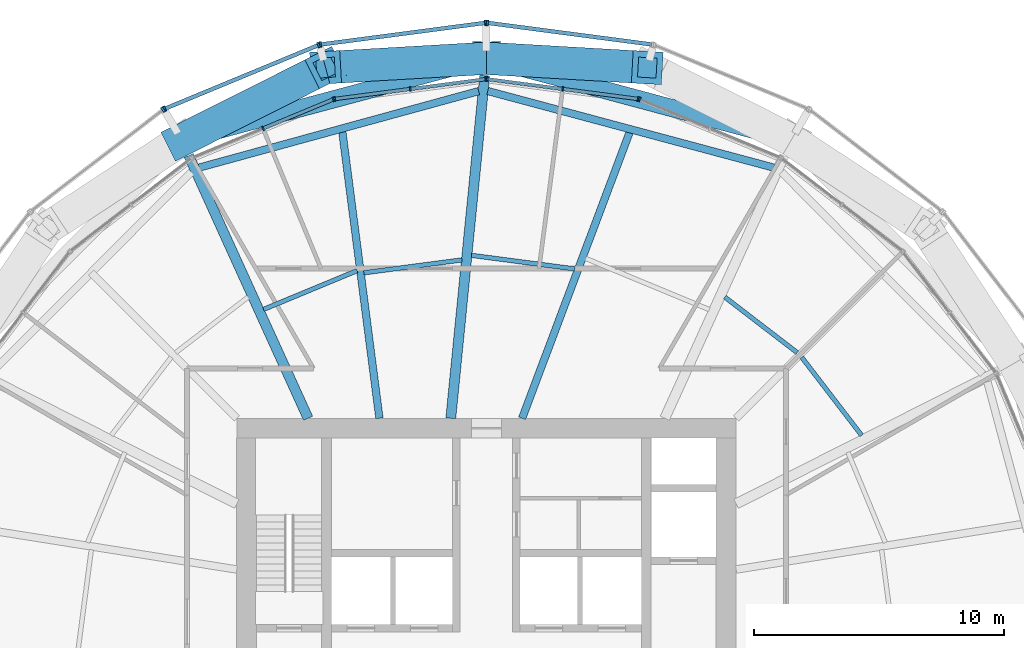
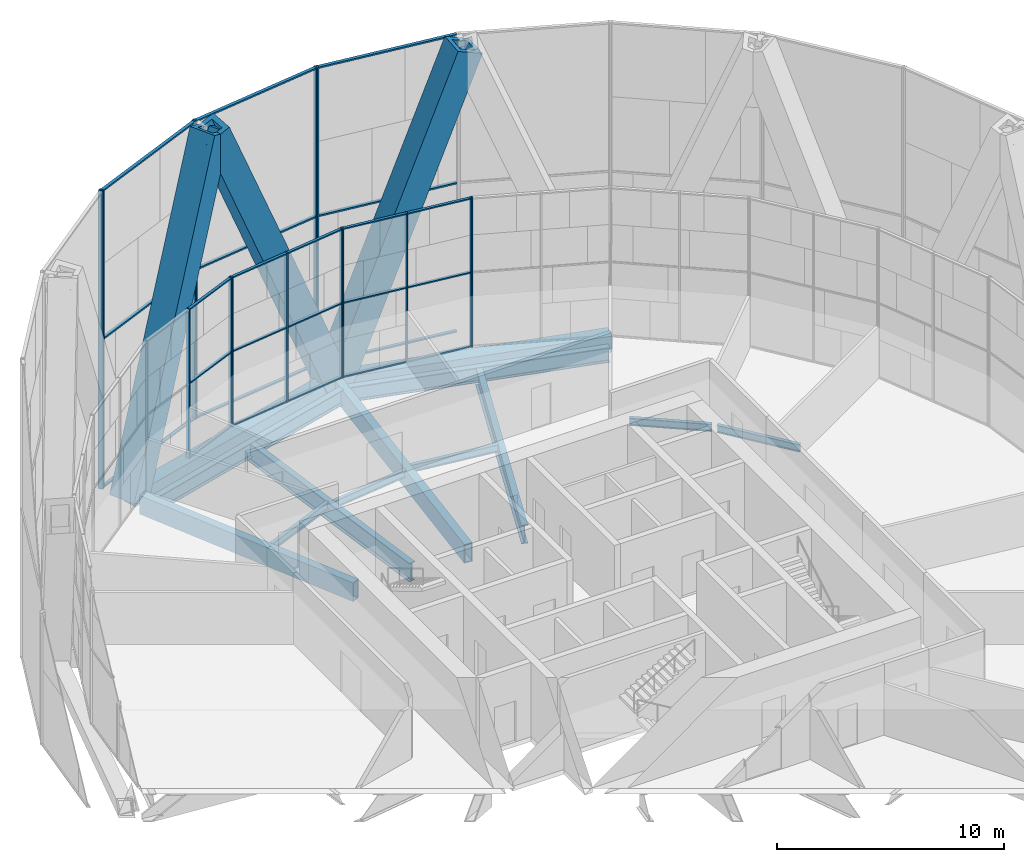
# One storey, part 7 of 22: 42 members, 13 beams, 8 elements without a shape of their own.
"""IFC4 building model written with IfcOpenShell, lengths in metres."""

from ifc_helpers import new_model, si_unit, direction, frame, origin, origin_2d, place, context, subcontext, project, spatial, rectangle, hollow_rectangle, i_section, extrude, material, material_profile, profile_set, type_object, element, aggregate, save


model = new_model("IFC4")

# Units and contexts
model_context = context("Model", 3, precision=1e-05, world=origin(), true_north=direction((0.0, 1.0)))
body_context = subcontext(model_context, "Body", "Model", "MODEL_VIEW")
ifc_project = project(units=[si_unit("LENGTHUNIT", "METRE"), si_unit("AREAUNIT", "SQUARE_METRE"), si_unit("VOLUMEUNIT", "CUBIC_METRE"), si_unit("PLANEANGLEUNIT", "RADIAN"), si_unit("MASSUNIT", "GRAM", prefix="KILO")], contexts=[model_context])

# Site, building, storey
site_placement = place(None, origin())
site = spatial("IfcSite", under=ifc_project, at=site_placement, CompositionType="ELEMENT")
building_placement = place(site_placement, origin())
building = spatial("IfcBuilding", under=site, at=building_placement, Name="Golbaran Civic Tower", CompositionType="ELEMENT")
storey_placement = place(building_placement, frame((0.0, 0.0, 53.0)))
storey = spatial("IfcBuildingStorey", under=building, at=storey_placement, Name="L12", CompositionType="ELEMENT", Elevation=53.0)

# Members
ifc_material_1 = material(Name="Steel S355", Category="steel")
ifc_material_profile_1 = material_profile(ifc_material_1, hollow_rectangle(XDim=1.300048828125, YDim=1.300048828125, WallThickness=0.25, at=origin_2d()), Name="BOX 1300x1300x250")
ifc_profile_set_1 = profile_set([ifc_material_profile_1], Name="Steel S355")
member_type_1 = type_object("IfcMemberType", Name="DIAGRID DIAGONAL BOX 1300x1300x250", PredefinedType="BRACE", material=ifc_profile_set_1)
for number, where, z_axis, x_axis, name in (
    (1, (0.0, 24.416015625, -0.7099609375), (-0.373420671031, -0.021622964428, 0.927410076426), (0.05780827387, -0.998327703448, 0.0), "Diagonal D02-03R L12-L16"),
    (2, (0.0, 24.416015625, -0.7099609375), (0.373420671031, -0.021622964428, 0.927410076426), (0.05780827387, 0.998327703448, 0.0), "Diagonal D02-03L L12-L16"),
):
    element("IfcMember", number, at=place(storey_placement, frame(where, z_axis=z_axis, x_axis=x_axis)), inside=storey, type_object=member_type_1, Name=name, PredefinedType="BRACE", context=body_context, shape_type="SweptSolid", body=[
        extrude(hollow_rectangle(XDim=1.300048828125, YDim=1.300048828125, WallThickness=0.25, at=origin_2d()), origin(), (0.0, 0.0, 1.0), 17.25244140625),
    ])
member_1_placement = place(storey_placement, frame((-12.2080078125, 21.144775390625, -0.7099609375), z_axis=(0.334194514401, 0.167988782201, 0.927412419368), x_axis=(-0.449119378723, 0.893471758734, 0.0)))
element("IfcMember", 3, at=member_1_placement, inside=storey, type_object=member_type_1, Name="Diagonal D02-04L L12-L16", PredefinedType="BRACE", context=body_context, shape_type="SweptSolid", body=[
    extrude(hollow_rectangle(XDim=1.300048828125, YDim=1.300048828125, WallThickness=0.25, at=origin_2d()), origin(), (0.0, 0.0, 1.0), 17.252197265625),
])

# Beams
ifc_material_profile_2 = material_profile(ifc_material_1, hollow_rectangle(XDim=0.699951171875, YDim=0.699951171875, WallThickness=0.080078125, at=origin_2d()), Name="BOX 700x700x80")
ifc_profile_set_2 = profile_set([ifc_material_profile_2], Name="Steel S355")
beam_type_1 = type_object("IfcBeamType", Name="DIAGRID RING TIE BOX 700x700x80", PredefinedType="BEAM", material=ifc_profile_set_2)
for number, where, z_axis, x_axis, name in (
    (4, (12.2080078125, 21.144775390625, -0.7099609375), (-0.965923563363, 0.258827490311, 0.0), (-0.258827490311, -0.965923563363, 0.0), "Ring tie 60.00 L12"),
    (5, (0.0, 24.416015625, -0.7099609375), (-0.965923563363, -0.258827490311, 0.0), (0.258827490311, -0.965923563363, 0.0), "Ring tie 90.00 L12"),
):
    element("IfcBeam", number, at=place(storey_placement, frame(where, z_axis=z_axis, x_axis=x_axis)), inside=storey, type_object=beam_type_1, Name=name, PredefinedType="BEAM", context=body_context, shape_type="SweptSolid", body=[
        extrude(hollow_rectangle(XDim=0.699951171875, YDim=0.699951171875, WallThickness=0.080078125, at=origin_2d()), origin(), (0.0, 0.0, 1.0), 12.638671875),
    ])
ifc_material_profile_3 = material_profile(ifc_material_1, i_section(OverallWidth=0.300048828125, OverallDepth=0.800048828125, WebThickness=0.017578125, FlangeThickness=0.032958984375, FilletRadius=0.030029296875, at=origin_2d()), Name="HEB 800")
ifc_profile_set_3 = profile_set([ifc_material_profile_3], Name="Steel S355")
beam_type_2 = type_object("IfcBeamType", Name="EDGE BEAM HEB 800", PredefinedType="BEAM", material=ifc_profile_set_3)
beam_1_placement = place(storey_placement, frame((11.506591796875, 20.036865234375, -0.60009765625), z_axis=(-0.96593978228, 0.258766955016, 0.0), x_axis=(-0.258766955016, -0.96593978228, 0.0)))
element("IfcBeam", 6, at=beam_1_placement, inside=storey, type_object=beam_type_2, Name="Edge beam 60.00 L12", PredefinedType="BEAM", context=body_context, shape_type="SweptSolid", body=[
    extrude(i_section(OverallWidth=0.300048828125, OverallDepth=0.800048828125, WebThickness=0.017578125, FlangeThickness=0.032958984375, FilletRadius=0.030029296875, at=origin_2d()), origin(), (0.0, 0.0, 1.0), 11.859619140625),
])
beam_2_placement = place(storey_placement, frame((-0.31103515625, 23.10205078125, -0.60009765625), z_axis=(-0.964523164737, -0.263998228565, 0.0), x_axis=(0.263998228565, -0.964523164737, 0.0)))
element("IfcBeam", 7, at=beam_2_placement, inside=storey, type_object=beam_type_2, Name="Edge beam 90.00 L12", PredefinedType="BEAM", context=body_context, shape_type="SweptSolid", body=[
    extrude(i_section(OverallWidth=0.300048828125, OverallDepth=0.800048828125, WebThickness=0.017578125, FlangeThickness=0.032958984375, FilletRadius=0.030029296875, at=origin_2d()), origin(), (0.0, 0.0, 1.0), 11.60791015625),
])
ifc_material_profile_4 = material_profile(ifc_material_1, i_section(OverallWidth=0.179931640625, OverallDepth=0.39990234375, WebThickness=0.008544921875, FlangeThickness=0.013427734375, FilletRadius=0.02099609375, at=origin_2d()), Name="IPE 400")
ifc_profile_set_4 = profile_set([ifc_material_profile_4], Name="Steel S355")
beam_type_3 = type_object("IfcBeamType", Name="FLOOR INFILL BEAM IPE 400", PredefinedType="BEAM", material=ifc_profile_set_4)
beam_3_placement = place(storey_placement, frame((15.026123046875, 9.315185546875, -0.39990234375), z_axis=(-0.608743547424, 0.793367060993, 0.0), x_axis=(-0.793367060993, -0.608743547424, 0.0)))
element("IfcBeam", 8, at=beam_3_placement, inside=storey, type_object=beam_type_3, Name="Infill beam 37.50 L12", PredefinedType="BEAM", context=body_context, shape_type="SweptSolid", body=[
    extrude(i_section(OverallWidth=0.179931640625, OverallDepth=0.39990234375, WebThickness=0.008544921875, FlangeThickness=0.013427734375, FilletRadius=0.02099609375, at=origin_2d()), origin(), (0.0, 0.0, 1.0), 3.94189453125),
])
beam_4_placement = place(storey_placement, frame((12.445068359375, 12.62890625, -0.39990234375), z_axis=(-0.79336110597, 0.608751308446, 0.0), x_axis=(-0.608751308446, -0.79336110597, 0.0)))
element("IfcBeam", 9, at=beam_4_placement, inside=storey, type_object=beam_type_3, Name="Infill beam 52.50 L12", PredefinedType="BEAM", context=body_context, shape_type="SweptSolid", body=[
    extrude(i_section(OverallWidth=0.179931640625, OverallDepth=0.39990234375, WebThickness=0.008544921875, FlangeThickness=0.013427734375, FilletRadius=0.02099609375, at=origin_2d()), origin(), (0.0, 0.0, 1.0), 3.654052734375),
])
beam_5_placement = place(storey_placement, frame((3.53857421875, 15.980224609375, -0.39990234375), z_axis=(-0.991447129366, 0.130508963951, 0.0), x_axis=(-0.130508963951, -0.991447129366, 0.0)))
element("IfcBeam", 10, at=beam_5_placement, inside=storey, type_object=beam_type_3, Name="Infill beam 82.50 L12", PredefinedType="BEAM", context=body_context, shape_type="SweptSolid", body=[
    extrude(i_section(OverallWidth=0.179931640625, OverallDepth=0.39990234375, WebThickness=0.008544921875, FlangeThickness=0.013427734375, FilletRadius=0.02099609375, at=origin_2d()), origin(), (0.0, 0.0, 1.0), 4.17529296875),
])
beam_6_placement = place(storey_placement, frame((-0.98095703125, 16.341796875, -0.39990234375), z_axis=(-0.991446113601, -0.130516680254, 0.0), x_axis=(0.130516680254, -0.991446113601, 0.0)))
element("IfcBeam", 11, at=beam_6_placement, inside=storey, type_object=beam_type_3, Name="Infill beam 97.50 L12", PredefinedType="BEAM", context=body_context, shape_type="SweptSolid", body=[
    extrude(i_section(OverallWidth=0.179931640625, OverallDepth=0.39990234375, WebThickness=0.008544921875, FlangeThickness=0.013427734375, FilletRadius=0.02099609375, at=origin_2d()), origin(), (0.0, 0.0, 1.0), 3.9619140625),
])
beam_7_placement = place(storey_placement, frame((-5.182373046875, 15.910888671875, -0.39990234375), z_axis=(-0.923875132525, -0.3826940547, 0.0), x_axis=(0.3826940547, -0.923875132525, 0.0)))
element("IfcBeam", 12, at=beam_7_placement, inside=storey, type_object=beam_type_3, Name="Infill beam 112.50 L12", PredefinedType="BEAM", context=body_context, shape_type="SweptSolid", body=[
    extrude(i_section(OverallWidth=0.179931640625, OverallDepth=0.39990234375, WebThickness=0.008544921875, FlangeThickness=0.013427734375, FilletRadius=0.02099609375, at=origin_2d()), origin(), (0.0, 0.0, 1.0), 4.052978515625),
])

# Curtain wall, member
ifc_material_2 = material(Name="Aluminium and glass", Category="aluminium")
curtain_wall_type_1 = type_object("IfcCurtainWallType", Name="INNER SKIN CURTAIN WALL", PredefinedType="NOTDEFINED", material=ifc_material_2)
curtain_wall_1_placement = place(storey_placement, origin())
curtain_wall_1 = element("IfcCurtainWall", 13, at=curtain_wall_1_placement, inside=storey, type_object=curtain_wall_type_1, Name="Inner skin L12 facet 5 CW1", ObjectType="INNER SKIN", PredefinedType="USERDEFINED")
ifc_material_3 = material(Name="Aluminium", Category="aluminium")
ifc_material_profile_5 = material_profile(ifc_material_3, rectangle(XDim=0.179931640625, YDim=0.06494140625, at=origin_2d()), Name="INNER SKIN CURTAIN WALL MULLION")
ifc_profile_set_5 = profile_set([ifc_material_profile_5], Name="Aluminium")
member_type_2 = type_object("IfcMemberType", Name="INNER SKIN CURTAIN WALL MULLION", PredefinedType="MULLION", material=ifc_profile_set_5)
member_2_placement = place(storey_placement, frame((6.13427734375, 22.76904296875, 0.0), z_axis=(0.0, 0.0, 1.0), x_axis=(-0.382683432413, -0.923879532491, 0.0)))
member_2 = element("IfcMember", 14, at=member_2_placement, type_object=member_type_2, Name="CW1 mullion 3", PredefinedType="MULLION", context=body_context, shape_type="SweptSolid", body=[
    extrude(rectangle(XDim=0.179931640625, YDim=0.06494140625, at=origin_2d()), origin(), (0.0, 0.0, 1.0), 8.0),
])
aggregate(curtain_wall_1, [member_2])

# Curtain wall, members
curtain_wall_2_placement = place(storey_placement, origin())
curtain_wall_2 = element("IfcCurtainWall", 15, at=curtain_wall_2_placement, inside=storey, type_object=curtain_wall_type_1, Name="Inner skin L12 facet 6 CW1", ObjectType="INNER SKIN", PredefinedType="USERDEFINED")
member_3_placement = place(storey_placement, frame((6.072021484375, 22.78564453125, 0.0), z_axis=(0.0, 0.0, 1.0), x_axis=(-0.13052619222, -0.991444861374, 0.0)))
member_3 = element("IfcMember", 16, at=member_3_placement, type_object=member_type_2, Name="CW1 mullion 1", PredefinedType="MULLION", context=body_context, shape_type="SweptSolid", body=[
    extrude(rectangle(XDim=0.179931640625, YDim=0.06494140625, at=origin_2d()), origin(), (0.0, 0.0, 1.0), 8.0),
])
member_4_placement = place(storey_placement, frame((3.052001953125, 23.18310546875, 0.0), z_axis=(0.0, 0.0, 1.0), x_axis=(-0.13052619222, -0.991444861374, 0.0)))
member_4 = element("IfcMember", 17, at=member_4_placement, type_object=member_type_2, Name="CW1 mullion 2", PredefinedType="MULLION", context=body_context, shape_type="SweptSolid", body=[
    extrude(rectangle(XDim=0.179931640625, YDim=0.06494140625, at=origin_2d()), origin(), (0.0, 0.0, 1.0), 8.0),
])
member_5_placement = place(storey_placement, frame((0.0322265625, 23.580810546875, 0.0), z_axis=(0.0, 0.0, 1.0), x_axis=(-0.13052619222, -0.991444861374, 0.0)))
member_5 = element("IfcMember", 18, at=member_5_placement, type_object=member_type_2, Name="CW1 mullion 3", PredefinedType="MULLION", context=body_context, shape_type="SweptSolid", body=[
    extrude(rectangle(XDim=0.179931640625, YDim=0.06494140625, at=origin_2d()), origin(), (0.0, 0.0, 1.0), 8.0),
])

curtain_wall_3_placement = place(storey_placement, origin())
curtain_wall_3 = element("IfcCurtainWall", 19, at=curtain_wall_3_placement, inside=storey, type_object=curtain_wall_type_1, Name="Inner skin L12 facet 7 CW1", ObjectType="INNER SKIN", PredefinedType="USERDEFINED")
member_6_placement = place(storey_placement, frame((-0.0322265625, 23.580810546875, 0.0), z_axis=(0.0, 0.0, 1.0), x_axis=(0.13052619222, -0.991444861374, 0.0)))
member_6 = element("IfcMember", 20, at=member_6_placement, type_object=member_type_2, Name="CW1 mullion 1", PredefinedType="MULLION", context=body_context, shape_type="SweptSolid", body=[
    extrude(rectangle(XDim=0.179931640625, YDim=0.06494140625, at=origin_2d()), origin(), (0.0, 0.0, 1.0), 8.0),
])
member_7_placement = place(storey_placement, frame((-3.052001953125, 23.18310546875, 0.0), z_axis=(0.0, 0.0, 1.0), x_axis=(0.13052619222, -0.991444861374, 0.0)))
member_7 = element("IfcMember", 21, at=member_7_placement, type_object=member_type_2, Name="CW1 mullion 2", PredefinedType="MULLION", context=body_context, shape_type="SweptSolid", body=[
    extrude(rectangle(XDim=0.179931640625, YDim=0.06494140625, at=origin_2d()), origin(), (0.0, 0.0, 1.0), 8.0),
])
member_8_placement = place(storey_placement, frame((-6.072021484375, 22.78564453125, 0.0), z_axis=(0.0, 0.0, 1.0), x_axis=(0.13052619222, -0.991444861374, 0.0)))
member_8 = element("IfcMember", 22, at=member_8_placement, type_object=member_type_2, Name="CW1 mullion 3", PredefinedType="MULLION", context=body_context, shape_type="SweptSolid", body=[
    extrude(rectangle(XDim=0.179931640625, YDim=0.06494140625, at=origin_2d()), origin(), (0.0, 0.0, 1.0), 8.0),
])

curtain_wall_4_placement = place(storey_placement, origin())
curtain_wall_4 = element("IfcCurtainWall", 23, at=curtain_wall_4_placement, inside=storey, type_object=curtain_wall_type_1, Name="Inner skin L12 facet 8 CW1", ObjectType="INNER SKIN", PredefinedType="USERDEFINED")
member_9_placement = place(storey_placement, frame((-6.13427734375, 22.76904296875, 0.0), z_axis=(0.0, 0.0, 1.0), x_axis=(0.382683432413, -0.923879532491, 0.0)))
member_9 = element("IfcMember", 24, at=member_9_placement, type_object=member_type_2, Name="CW1 mullion 1", PredefinedType="MULLION", context=body_context, shape_type="SweptSolid", body=[
    extrude(rectangle(XDim=0.179931640625, YDim=0.06494140625, at=origin_2d()), origin(), (0.0, 0.0, 1.0), 8.0),
])
member_10_placement = place(storey_placement, frame((-8.948486328125, 21.603271484375, 0.0), z_axis=(0.0, 0.0, 1.0), x_axis=(0.382683432413, -0.923879532491, 0.0)))
member_10 = element("IfcMember", 25, at=member_10_placement, type_object=member_type_2, Name="CW1 mullion 2", PredefinedType="MULLION", context=body_context, shape_type="SweptSolid", body=[
    extrude(rectangle(XDim=0.179931640625, YDim=0.06494140625, at=origin_2d()), origin(), (0.0, 0.0, 1.0), 8.0),
])

# Member
ifc_material_profile_6 = material_profile(ifc_material_3, rectangle(XDim=0.139892578125, YDim=0.06494140625, at=origin_2d()), Name="INNER SKIN CURTAIN WALL TRANSOM")
ifc_profile_set_6 = profile_set([ifc_material_profile_6], Name="Aluminium")
member_type_3 = type_object("IfcMemberType", Name="INNER SKIN CURTAIN WALL TRANSOM", PredefinedType="USERDEFINED", material=ifc_profile_set_6)
member_11_placement = place(storey_placement, frame((6.039794921875, 22.789794921875, 0.032470703125), z_axis=(-0.991442584044, 0.130543489093, 0.0), x_axis=(-0.130543489093, -0.991442584044, 0.0)))
member_11 = element("IfcMember", 26, at=member_11_placement, type_object=member_type_3, Name="CW1 transom 1.1", ObjectType="TRANSOM", PredefinedType="USERDEFINED", context=body_context, shape_type="SweptSolid", body=[
    extrude(rectangle(XDim=0.139892578125, YDim=0.06494140625, at=origin_2d()), origin(), (0.0, 0.0, 1.0), 2.98095703125),
])

member_12_placement = place(storey_placement, frame((6.039794921875, 22.789794921875, 4.0), z_axis=(-0.991442584044, 0.130543489093, 0.0), x_axis=(-0.130543489093, -0.991442584044, 0.0)))
member_12 = element("IfcMember", 27, at=member_12_placement, type_object=member_type_3, Name="CW1 transom 1.2", ObjectType="TRANSOM", PredefinedType="USERDEFINED", context=body_context, shape_type="SweptSolid", body=[
    extrude(rectangle(XDim=0.139892578125, YDim=0.06494140625, at=origin_2d()), origin(), (0.0, 0.0, 1.0), 2.98095703125),
])

member_13_placement = place(storey_placement, frame((6.039794921875, 22.789794921875, 7.967529296875), z_axis=(-0.991442584044, 0.130543489093, 0.0), x_axis=(-0.130543489093, -0.991442584044, 0.0)))
member_13 = element("IfcMember", 28, at=member_13_placement, type_object=member_type_3, Name="CW1 transom 1.3", ObjectType="TRANSOM", PredefinedType="USERDEFINED", context=body_context, shape_type="SweptSolid", body=[
    extrude(rectangle(XDim=0.139892578125, YDim=0.06494140625, at=origin_2d()), origin(), (0.0, 0.0, 1.0), 2.98095703125),
])

member_14_placement = place(storey_placement, frame((3.02001953125, 23.1875, 0.032470703125), z_axis=(-0.991453180494, 0.130462986662, 0.0), x_axis=(-0.130462986662, -0.991453180494, 0.0)))
member_14 = element("IfcMember", 29, at=member_14_placement, type_object=member_type_3, Name="CW1 transom 2.1", ObjectType="TRANSOM", PredefinedType="USERDEFINED", context=body_context, shape_type="SweptSolid", body=[
    extrude(rectangle(XDim=0.139892578125, YDim=0.06494140625, at=origin_2d()), origin(), (0.0, 0.0, 1.0), 2.98095703125),
])

member_15_placement = place(storey_placement, frame((3.02001953125, 23.1875, 4.0), z_axis=(-0.991453180494, 0.130462986662, 0.0), x_axis=(-0.130462986662, -0.991453180494, 0.0)))
member_15 = element("IfcMember", 30, at=member_15_placement, type_object=member_type_3, Name="CW1 transom 2.2", ObjectType="TRANSOM", PredefinedType="USERDEFINED", context=body_context, shape_type="SweptSolid", body=[
    extrude(rectangle(XDim=0.139892578125, YDim=0.06494140625, at=origin_2d()), origin(), (0.0, 0.0, 1.0), 2.98095703125),
])

member_16_placement = place(storey_placement, frame((3.02001953125, 23.1875, 7.967529296875), z_axis=(-0.991453180494, 0.130462986662, 0.0), x_axis=(-0.130462986662, -0.991453180494, 0.0)))
member_16 = element("IfcMember", 31, at=member_16_placement, type_object=member_type_3, Name="CW1 transom 2.3", ObjectType="TRANSOM", PredefinedType="USERDEFINED", context=body_context, shape_type="SweptSolid", body=[
    extrude(rectangle(XDim=0.139892578125, YDim=0.06494140625, at=origin_2d()), origin(), (0.0, 0.0, 1.0), 2.98095703125),
])

aggregate(curtain_wall_2, [member_3, member_4, member_5, member_11, member_12, member_13, member_14, member_15, member_16])

member_17_placement = place(storey_placement, frame((-0.064453125, 23.576416015625, 0.032470703125), z_axis=(-0.991453180494, -0.130462986662, 0.0), x_axis=(0.130462986662, -0.991453180494, 0.0)))
member_17 = element("IfcMember", 32, at=member_17_placement, type_object=member_type_3, Name="CW1 transom 1.1", ObjectType="TRANSOM", PredefinedType="USERDEFINED", context=body_context, shape_type="SweptSolid", body=[
    extrude(rectangle(XDim=0.139892578125, YDim=0.06494140625, at=origin_2d()), origin(), (0.0, 0.0, 1.0), 2.98095703125),
])

member_18_placement = place(storey_placement, frame((-0.064453125, 23.576416015625, 4.0), z_axis=(-0.991453180494, -0.130462986662, 0.0), x_axis=(0.130462986662, -0.991453180494, 0.0)))
member_18 = element("IfcMember", 33, at=member_18_placement, type_object=member_type_3, Name="CW1 transom 1.2", ObjectType="TRANSOM", PredefinedType="USERDEFINED", context=body_context, shape_type="SweptSolid", body=[
    extrude(rectangle(XDim=0.139892578125, YDim=0.06494140625, at=origin_2d()), origin(), (0.0, 0.0, 1.0), 2.98095703125),
])

member_19_placement = place(storey_placement, frame((-0.064453125, 23.576416015625, 7.967529296875), z_axis=(-0.991453180494, -0.130462986662, 0.0), x_axis=(0.130462986662, -0.991453180494, 0.0)))
member_19 = element("IfcMember", 34, at=member_19_placement, type_object=member_type_3, Name="CW1 transom 1.3", ObjectType="TRANSOM", PredefinedType="USERDEFINED", context=body_context, shape_type="SweptSolid", body=[
    extrude(rectangle(XDim=0.139892578125, YDim=0.06494140625, at=origin_2d()), origin(), (0.0, 0.0, 1.0), 2.98095703125),
])

member_20_placement = place(storey_placement, frame((-3.084228515625, 23.178955078125, 0.032470703125), z_axis=(-0.991442584044, -0.130543489093, 0.0), x_axis=(0.130543489093, -0.991442584044, 0.0)))
member_20 = element("IfcMember", 35, at=member_20_placement, type_object=member_type_3, Name="CW1 transom 2.1", ObjectType="TRANSOM", PredefinedType="USERDEFINED", context=body_context, shape_type="SweptSolid", body=[
    extrude(rectangle(XDim=0.139892578125, YDim=0.06494140625, at=origin_2d()), origin(), (0.0, 0.0, 1.0), 2.98095703125),
])

member_21_placement = place(storey_placement, frame((-3.084228515625, 23.178955078125, 4.0), z_axis=(-0.991442584044, -0.130543489093, 0.0), x_axis=(0.130543489093, -0.991442584044, 0.0)))
member_21 = element("IfcMember", 36, at=member_21_placement, type_object=member_type_3, Name="CW1 transom 2.2", ObjectType="TRANSOM", PredefinedType="USERDEFINED", context=body_context, shape_type="SweptSolid", body=[
    extrude(rectangle(XDim=0.139892578125, YDim=0.06494140625, at=origin_2d()), origin(), (0.0, 0.0, 1.0), 2.98095703125),
])

member_22_placement = place(storey_placement, frame((-3.084228515625, 23.178955078125, 7.967529296875), z_axis=(-0.991442584044, -0.130543489093, 0.0), x_axis=(0.130543489093, -0.991442584044, 0.0)))
member_22 = element("IfcMember", 37, at=member_22_placement, type_object=member_type_3, Name="CW1 transom 2.3", ObjectType="TRANSOM", PredefinedType="USERDEFINED", context=body_context, shape_type="SweptSolid", body=[
    extrude(rectangle(XDim=0.139892578125, YDim=0.06494140625, at=origin_2d()), origin(), (0.0, 0.0, 1.0), 2.98095703125),
])

aggregate(curtain_wall_3, [member_6, member_7, member_8, member_17, member_18, member_19, member_20, member_21, member_22])

member_23_placement = place(storey_placement, frame((-6.164306640625, 22.756591796875, 0.032470703125), z_axis=(-0.923872096684, -0.382701383548, 0.0), x_axis=(0.382701383548, -0.923872096684, 0.0)))
member_23 = element("IfcMember", 38, at=member_23_placement, type_object=member_type_3, Name="CW1 transom 1.1", ObjectType="TRANSOM", PredefinedType="USERDEFINED", context=body_context, shape_type="SweptSolid", body=[
    extrude(rectangle(XDim=0.139892578125, YDim=0.06494140625, at=origin_2d()), origin(), (0.0, 0.0, 1.0), 2.981201171875),
])

member_24_placement = place(storey_placement, frame((-6.164306640625, 22.756591796875, 4.0), z_axis=(-0.923872096684, -0.382701383548, 0.0), x_axis=(0.382701383548, -0.923872096684, 0.0)))
member_24 = element("IfcMember", 39, at=member_24_placement, type_object=member_type_3, Name="CW1 transom 1.2", ObjectType="TRANSOM", PredefinedType="USERDEFINED", context=body_context, shape_type="SweptSolid", body=[
    extrude(rectangle(XDim=0.139892578125, YDim=0.06494140625, at=origin_2d()), origin(), (0.0, 0.0, 1.0), 2.981201171875),
])

member_25_placement = place(storey_placement, frame((-6.164306640625, 22.756591796875, 7.967529296875), z_axis=(-0.923872096684, -0.382701383548, 0.0), x_axis=(0.382701383548, -0.923872096684, 0.0)))
member_25 = element("IfcMember", 40, at=member_25_placement, type_object=member_type_3, Name="CW1 transom 1.3", ObjectType="TRANSOM", PredefinedType="USERDEFINED", context=body_context, shape_type="SweptSolid", body=[
    extrude(rectangle(XDim=0.139892578125, YDim=0.06494140625, at=origin_2d()), origin(), (0.0, 0.0, 1.0), 2.981201171875),
])

aggregate(curtain_wall_4, [member_9, member_10, member_23, member_24, member_25])

# Curtain wall, member
curtain_wall_type_2 = type_object("IfcCurtainWallType", Name="OUTER SKIN TERRACOTTA SCREEN", PredefinedType="NOTDEFINED", material=ifc_material_2)
curtain_wall_5_placement = place(storey_placement, origin())
curtain_wall_5 = element("IfcCurtainWall", 41, at=curtain_wall_5_placement, inside=storey, type_object=curtain_wall_type_2, Name="Outer skin L12 facet 6 CW3", ObjectType="OUTER SKIN", PredefinedType="USERDEFINED")
ifc_material_profile_7 = material_profile(ifc_material_3, rectangle(XDim=0.219970703125, YDim=0.080078125, at=origin_2d()), Name="OUTER SKIN TERRACOTTA SCREEN MULLION")
ifc_profile_set_7 = profile_set([ifc_material_profile_7], Name="Aluminium")
member_type_4 = type_object("IfcMemberType", Name="OUTER SKIN TERRACOTTA SCREEN MULLION", PredefinedType="MULLION", material=ifc_profile_set_7)
member_26_placement = place(storey_placement, frame((0.03955078125, 25.835693359375, -0.7099609375), z_axis=(0.0, 0.0, 1.0), x_axis=(-0.130526192255, -0.991444861369, 0.0)))
member_26 = element("IfcMember", 42, at=member_26_placement, type_object=member_type_4, Name="CW3 mullion 2", PredefinedType="MULLION", context=body_context, shape_type="SweptSolid", body=[
    extrude(rectangle(XDim=0.219970703125, YDim=0.080078125, at=origin_2d()), origin(), (0.0, 0.0, 1.0), 16.0),
])

# Curtain wall, members
curtain_wall_6_placement = place(storey_placement, origin())
curtain_wall_6 = element("IfcCurtainWall", 43, at=curtain_wall_6_placement, inside=storey, type_object=curtain_wall_type_2, Name="Outer skin L12 facet 7 CW3", ObjectType="OUTER SKIN", PredefinedType="USERDEFINED")
member_27_placement = place(storey_placement, frame((-0.03955078125, 25.835693359375, -0.7099609375), z_axis=(0.0, 0.0, 1.0), x_axis=(0.130526192255, -0.991444861369, 0.0)))
member_27 = element("IfcMember", 44, at=member_27_placement, type_object=member_type_4, Name="CW3 mullion 1", PredefinedType="MULLION", context=body_context, shape_type="SweptSolid", body=[
    extrude(rectangle(XDim=0.219970703125, YDim=0.080078125, at=origin_2d()), origin(), (0.0, 0.0, 1.0), 16.0),
])
member_28_placement = place(storey_placement, frame((-6.6484375, 24.9658203125, -0.7099609375), z_axis=(0.0, 0.0, 1.0), x_axis=(0.130526192255, -0.991444861369, 0.0)))
member_28 = element("IfcMember", 45, at=member_28_placement, type_object=member_type_4, Name="CW3 mullion 2", PredefinedType="MULLION", context=body_context, shape_type="SweptSolid", body=[
    extrude(rectangle(XDim=0.219970703125, YDim=0.080078125, at=origin_2d()), origin(), (0.0, 0.0, 1.0), 16.0),
])

curtain_wall_7_placement = place(storey_placement, origin())
curtain_wall_7 = element("IfcCurtainWall", 46, at=curtain_wall_7_placement, inside=storey, type_object=curtain_wall_type_2, Name="Outer skin L12 facet 8 CW3", ObjectType="OUTER SKIN", PredefinedType="USERDEFINED")
member_29_placement = place(storey_placement, frame((-6.72509765625, 24.945068359375, -0.7099609375), z_axis=(0.0, 0.0, 1.0), x_axis=(0.382683432349, -0.923879532518, 0.0)))
member_29 = element("IfcMember", 47, at=member_29_placement, type_object=member_type_4, Name="CW3 mullion 1", PredefinedType="MULLION", context=body_context, shape_type="SweptSolid", body=[
    extrude(rectangle(XDim=0.219970703125, YDim=0.080078125, at=origin_2d()), origin(), (0.0, 0.0, 1.0), 16.0),
])
member_30_placement = place(storey_placement, frame((-12.883544921875, 22.394287109375, -0.7099609375), z_axis=(0.0, 0.0, 1.0), x_axis=(0.382683432349, -0.923879532518, 0.0)))
member_30 = element("IfcMember", 48, at=member_30_placement, type_object=member_type_4, Name="CW3 mullion 2", PredefinedType="MULLION", context=body_context, shape_type="SweptSolid", body=[
    extrude(rectangle(XDim=0.219970703125, YDim=0.080078125, at=origin_2d()), origin(), (0.0, 0.0, 1.0), 16.0),
])

# Curtain wall, member
curtain_wall_8_placement = place(storey_placement, origin())
curtain_wall_8 = element("IfcCurtainWall", 49, at=curtain_wall_8_placement, inside=storey, type_object=curtain_wall_type_2, Name="Outer skin L12 facet 9 CW3", ObjectType="OUTER SKIN", PredefinedType="USERDEFINED")
member_31_placement = place(storey_placement, frame((-12.9521484375, 22.3544921875, -0.7099609375), z_axis=(0.0, 0.0, 1.0), x_axis=(0.608761428926, -0.793353340355, 0.0)))
member_31 = element("IfcMember", 50, at=member_31_placement, type_object=member_type_4, Name="CW3 mullion 1", PredefinedType="MULLION", context=body_context, shape_type="SweptSolid", body=[
    extrude(rectangle(XDim=0.219970703125, YDim=0.080078125, at=origin_2d()), origin(), (0.0, 0.0, 1.0), 16.0),
])
aggregate(curtain_wall_8, [member_31])

# Member
ifc_material_profile_8 = material_profile(ifc_material_3, rectangle(XDim=0.159912109375, YDim=0.080078125, at=origin_2d()), Name="OUTER SKIN TERRACOTTA SCREEN TRANSOM")
ifc_profile_set_8 = profile_set([ifc_material_profile_8], Name="Aluminium")
member_type_5 = type_object("IfcMemberType", Name="OUTER SKIN TERRACOTTA SCREEN TRANSOM", PredefinedType="USERDEFINED", material=ifc_profile_set_8)
member_32_placement = place(storey_placement, frame((6.60888671875, 24.970947265625, -0.669921875), z_axis=(-0.991445082276, 0.13052451429, 0.0), x_axis=(-0.13052451429, -0.991445082276, 0.0)))
member_32 = element("IfcMember", 51, at=member_32_placement, type_object=member_type_5, Name="CW3 transom 1.1", ObjectType="TRANSOM", PredefinedType="USERDEFINED", context=body_context, shape_type="SweptSolid", body=[
    extrude(rectangle(XDim=0.159912109375, YDim=0.080078125, at=origin_2d()), origin(), (0.0, 0.0, 1.0), 6.5859375),
])

member_33_placement = place(storey_placement, frame((6.60888671875, 24.970947265625, 7.2900390625), z_axis=(-0.991445082276, 0.13052451429, 0.0), x_axis=(-0.13052451429, -0.991445082276, 0.0)))
member_33 = element("IfcMember", 52, at=member_33_placement, type_object=member_type_5, Name="CW3 transom 1.2", ObjectType="TRANSOM", PredefinedType="USERDEFINED", context=body_context, shape_type="SweptSolid", body=[
    extrude(rectangle(XDim=0.159912109375, YDim=0.080078125, at=origin_2d()), origin(), (0.0, 0.0, 1.0), 6.5859375),
])

member_34_placement = place(storey_placement, frame((6.60888671875, 24.970947265625, 15.25), z_axis=(-0.991445082276, 0.13052451429, 0.0), x_axis=(-0.13052451429, -0.991445082276, 0.0)))
member_34 = element("IfcMember", 53, at=member_34_placement, type_object=member_type_5, Name="CW3 transom 1.3", ObjectType="TRANSOM", PredefinedType="USERDEFINED", context=body_context, shape_type="SweptSolid", body=[
    extrude(rectangle(XDim=0.159912109375, YDim=0.080078125, at=origin_2d()), origin(), (0.0, 0.0, 1.0), 6.5859375),
])

aggregate(curtain_wall_5, [member_26, member_32, member_33, member_34])

member_35_placement = place(storey_placement, frame((-0.079345703125, 25.83056640625, -0.669921875), z_axis=(-0.991445082276, -0.13052451429, 0.0), x_axis=(0.13052451429, -0.991445082276, 0.0)))
member_35 = element("IfcMember", 54, at=member_35_placement, type_object=member_type_5, Name="CW3 transom 1.1", ObjectType="TRANSOM", PredefinedType="USERDEFINED", context=body_context, shape_type="SweptSolid", body=[
    extrude(rectangle(XDim=0.159912109375, YDim=0.080078125, at=origin_2d()), origin(), (0.0, 0.0, 1.0), 6.5859375),
])

member_36_placement = place(storey_placement, frame((-0.079345703125, 25.83056640625, 7.2900390625), z_axis=(-0.991445082276, -0.13052451429, 0.0), x_axis=(0.13052451429, -0.991445082276, 0.0)))
member_36 = element("IfcMember", 55, at=member_36_placement, type_object=member_type_5, Name="CW3 transom 1.2", ObjectType="TRANSOM", PredefinedType="USERDEFINED", context=body_context, shape_type="SweptSolid", body=[
    extrude(rectangle(XDim=0.159912109375, YDim=0.080078125, at=origin_2d()), origin(), (0.0, 0.0, 1.0), 6.5859375),
])

member_37_placement = place(storey_placement, frame((-0.079345703125, 25.83056640625, 15.25), z_axis=(-0.991445082276, -0.13052451429, 0.0), x_axis=(0.13052451429, -0.991445082276, 0.0)))
member_37 = element("IfcMember", 56, at=member_37_placement, type_object=member_type_5, Name="CW3 transom 1.3", ObjectType="TRANSOM", PredefinedType="USERDEFINED", context=body_context, shape_type="SweptSolid", body=[
    extrude(rectangle(XDim=0.159912109375, YDim=0.080078125, at=origin_2d()), origin(), (0.0, 0.0, 1.0), 6.5859375),
])

aggregate(curtain_wall_6, [member_27, member_28, member_35, member_36, member_37])

member_38_placement = place(storey_placement, frame((-6.761962890625, 24.929931640625, -0.669921875), z_axis=(-0.923885359564, -0.382669364313, 0.0), x_axis=(0.382669364313, -0.923885359564, 0.0)))
member_38 = element("IfcMember", 57, at=member_38_placement, type_object=member_type_5, Name="CW3 transom 1.1", ObjectType="TRANSOM", PredefinedType="USERDEFINED", context=body_context, shape_type="SweptSolid", body=[
    extrude(rectangle(XDim=0.159912109375, YDim=0.080078125, at=origin_2d()), origin(), (0.0, 0.0, 1.0), 6.5859375),
])

member_39_placement = place(storey_placement, frame((-6.761962890625, 24.929931640625, 7.2900390625), z_axis=(-0.923885359564, -0.382669364313, 0.0), x_axis=(0.382669364313, -0.923885359564, 0.0)))
member_39 = element("IfcMember", 58, at=member_39_placement, type_object=member_type_5, Name="CW3 transom 1.2", ObjectType="TRANSOM", PredefinedType="USERDEFINED", context=body_context, shape_type="SweptSolid", body=[
    extrude(rectangle(XDim=0.159912109375, YDim=0.080078125, at=origin_2d()), origin(), (0.0, 0.0, 1.0), 6.5859375),
])

member_40_placement = place(storey_placement, frame((-6.761962890625, 24.929931640625, 15.25), z_axis=(-0.923885359564, -0.382669364313, 0.0), x_axis=(0.382669364313, -0.923885359564, 0.0)))
member_40 = element("IfcMember", 59, at=member_40_placement, type_object=member_type_5, Name="CW3 transom 1.3", ObjectType="TRANSOM", PredefinedType="USERDEFINED", context=body_context, shape_type="SweptSolid", body=[
    extrude(rectangle(XDim=0.159912109375, YDim=0.080078125, at=origin_2d()), origin(), (0.0, 0.0, 1.0), 6.5859375),
])

aggregate(curtain_wall_7, [member_29, member_30, member_38, member_39, member_40])

# Beams
ifc_material_profile_9 = material_profile(ifc_material_1, hollow_rectangle(XDim=0.39990234375, YDim=1.0, WallThickness=0.0400390625, at=origin_2d()), Name="BOX 1000x400x40")
ifc_profile_set_9 = profile_set([ifc_material_profile_9], Name="Steel S355")
beam_type_4 = type_object("IfcBeamType", Name="RADIAL FLOOR BEAM BOX 1000x400x40", PredefinedType="BEAM", material=ifc_profile_set_9)
beam_8_placement = place(storey_placement, frame((-1.428466796875, 10.0, -0.7099609375), z_axis=(0.098612100441, 0.995125948635, 0.0), x_axis=(-0.995125948635, 0.098612100441, 0.0)))
element("IfcBeam", 60, at=beam_8_placement, inside=storey, type_object=beam_type_4, Name="Radial beam 90.00 L12", PredefinedType="BEAM", context=body_context, shape_type="SweptSolid", body=[
    extrude(hollow_rectangle(XDim=0.39990234375, YDim=1.0, WallThickness=0.0400390625, at=origin_2d()), origin(), (0.0, 0.0, 1.0), 13.800048828125),
])
beam_9_placement = place(storey_placement, frame((-7.142822265625, 10.0, -0.7099609375), z_axis=(-0.413761557067, 0.910385288707, 0.0), x_axis=(-0.910385288707, -0.413761557067, 0.0)))
element("IfcBeam", 61, at=beam_9_placement, inside=storey, type_object=beam_type_4, Name="Radial beam 120.00 L12", PredefinedType="BEAM", context=body_context, shape_type="SweptSolid", body=[
    extrude(hollow_rectangle(XDim=0.39990234375, YDim=1.0, WallThickness=0.0400390625, at=origin_2d()), origin(), (0.0, 0.0, 1.0), 11.5556640625),
])
ifc_material_profile_10 = material_profile(ifc_material_1, i_section(OverallWidth=0.300048828125, OverallDepth=1.0, WebThickness=0.01904296875, FlangeThickness=0.035888671875, FilletRadius=0.030029296875, at=origin_2d()), Name="HEB 1000")
ifc_profile_set_10 = profile_set([ifc_material_profile_10], Name="Steel S355")
beam_type_5 = type_object("IfcBeamType", Name="SECONDARY FLOOR BEAM HEB 1000", PredefinedType="BEAM", material=ifc_profile_set_10)
beam_10_placement = place(storey_placement, frame((1.428466796875, 10.0, -0.7099609375), z_axis=(0.352004140627, 0.935998442831, 0.0), x_axis=(-0.935998442831, 0.352004140627, 0.0)))
element("IfcBeam", 62, at=beam_10_placement, inside=storey, type_object=beam_type_5, Name="Secondary beam 75.00 L12", PredefinedType="BEAM", context=body_context, shape_type="SweptSolid", body=[
    extrude(i_section(OverallWidth=0.300048828125, OverallDepth=1.0, WebThickness=0.01904296875, FlangeThickness=0.035888671875, FilletRadius=0.030029296875, at=origin_2d()), origin(), (0.0, 0.0, 1.0), 12.3623046875),
])
beam_11_placement = place(storey_placement, frame((-4.28564453125, 10.0, -0.7099609375), z_axis=(-0.128458637029, 0.991714867577, 0.0), x_axis=(-0.991714867577, -0.128458637029, 0.0)))
element("IfcBeam", 63, at=beam_11_placement, inside=storey, type_object=beam_type_5, Name="Secondary beam 105.00 L12", PredefinedType="BEAM", context=body_context, shape_type="SweptSolid", body=[
    extrude(i_section(OverallWidth=0.300048828125, OverallDepth=1.0, WebThickness=0.01904296875, FlangeThickness=0.035888671875, FilletRadius=0.030029296875, at=origin_2d()), origin(), (0.0, 0.0, 1.0), 11.69970703125),
])

save(model, "model.ifc")
